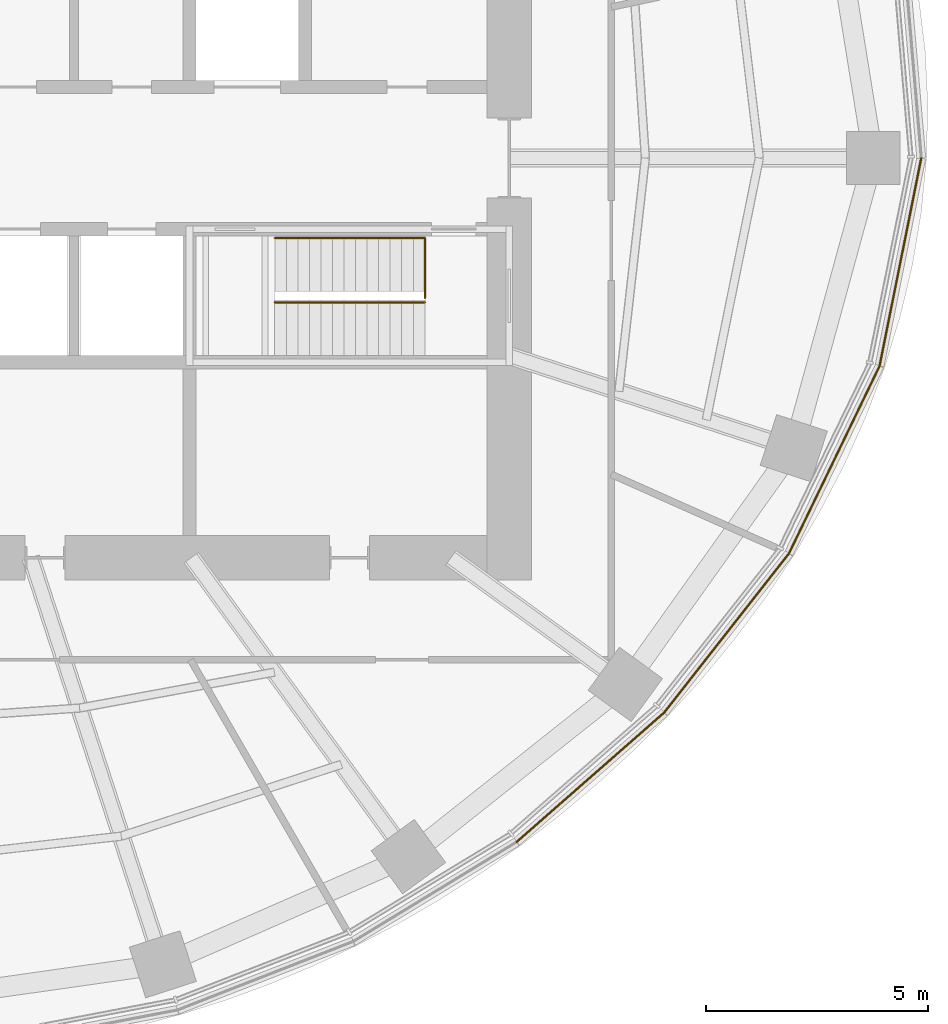
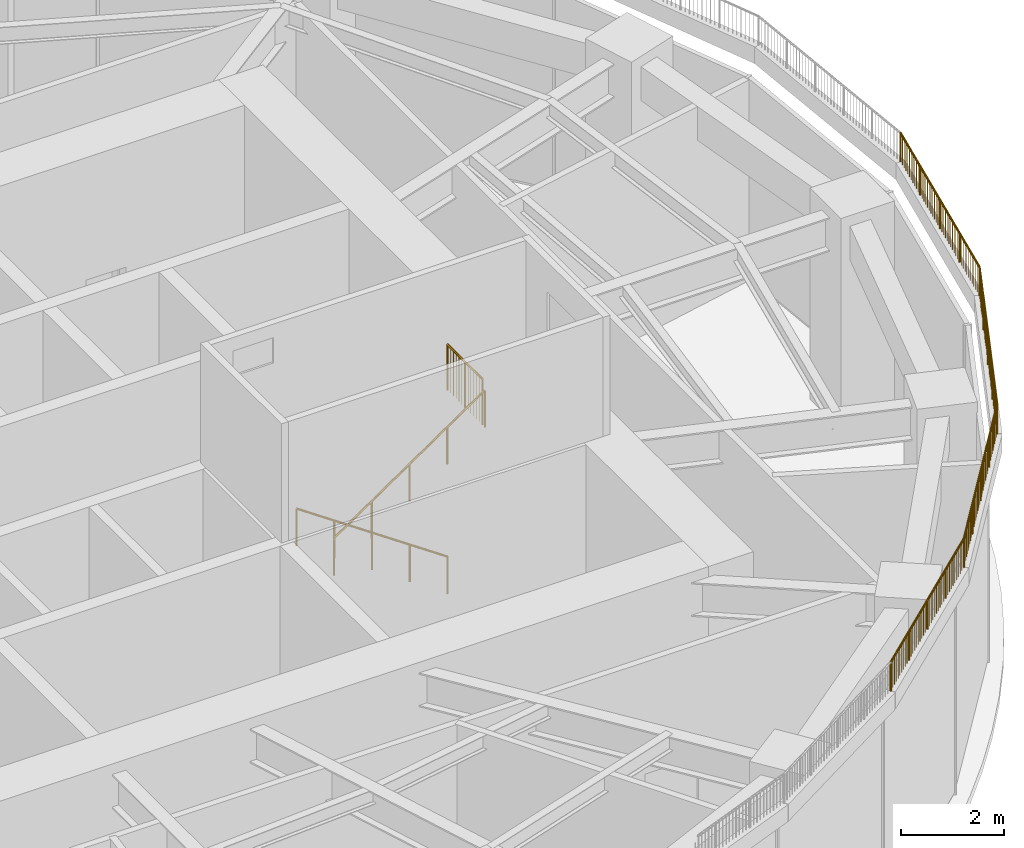
# One storey, part 16 of 19: 7 railings.
"""IFC4 building model written with IfcOpenShell, lengths in metres."""

from ifc_helpers import new_model, si_unit, direction, frame, origin, origin_2d, place, context, subcontext, project, spatial, circle, extrude, material, type_object, element, save


model = new_model("IFC4")

# Units and contexts
model_context = context("Model", 3, precision=1e-05, world=origin(), true_north=direction((0.0, 1.0)))
body_context = subcontext(model_context, "Body", "Model", "MODEL_VIEW")
ifc_project = project(units=[si_unit("LENGTHUNIT", "METRE"), si_unit("AREAUNIT", "SQUARE_METRE"), si_unit("VOLUMEUNIT", "CUBIC_METRE"), si_unit("PLANEANGLEUNIT", "RADIAN"), si_unit("MASSUNIT", "GRAM", prefix="KILO")], contexts=[model_context])

# Site, building, storey
site_placement = place(None, origin())
site = spatial("IfcSite", under=ifc_project, at=site_placement, CompositionType="ELEMENT")
building_placement = place(site_placement, origin())
building = spatial("IfcBuilding", under=site, at=building_placement, Name="Marramba Exchange Tower", CompositionType="ELEMENT")
storey_placement = place(building_placement, frame((0.0, 0.0, 277.0)))
storey = spatial("IfcBuildingStorey", under=building, at=storey_placement, Name="L67", CompositionType="ELEMENT", Elevation=277.0)

# Railings
ifc_material_1 = material(Name="Galvanised steel guardrail", Category="steel")
railing_type_1 = type_object("IfcRailingType", Name="Roof guardrail 1100", PredefinedType="GUARDRAIL", material=ifc_material_1)
railing_1_placement = place(storey_placement, frame((13.867431640625, -15.401123046875, 5.39990234375)))
element("IfcRailing", 1, at=railing_1_placement, inside=storey, type_object=railing_type_1, Name="Roof guard Roof crown F27", PredefinedType="GUARDRAIL", context=body_context, shape_type="SweptSolid", body=[
    extrude(circle(Radius=0.02392578125, at=origin_2d()), frame((0.0, 0.0, 0.67578125), z_axis=(0.751898477354, 0.659278908925, 0.0), x_axis=(-0.659278908925, 0.751898477354, 0.0)), (0.0, 0.0, 1.0), 4.41796875),
    extrude(circle(Radius=0.02099609375, at=origin_2d()), origin(), (0.0, 0.0, 1.0), 0.65185546875),
    extrude(circle(Radius=0.02099609375, at=origin_2d()), frame((0.83056640625, 0.72802734375, 0.0)), (0.0, 0.0, 1.0), 0.65185546875),
    extrude(circle(Radius=0.02099609375, at=origin_2d()), frame((1.660888671875, 1.456298828125, 0.0)), (0.0, 0.0, 1.0), 0.65185546875),
    extrude(circle(Radius=0.02099609375, at=origin_2d()), frame((2.4912109375, 2.1845703125, 0.0)), (0.0, 0.0, 1.0), 0.65185546875),
    extrude(circle(Radius=0.02099609375, at=origin_2d()), frame((3.32177734375, 2.91259765625, 0.0)), (0.0, 0.0, 1.0), 0.65185546875),
    extrude(circle(Radius=0.006103515625, at=origin_2d()), frame((0.092041015625, 0.080810546875, 0.0)), (0.0, 0.0, 1.0), 0.65185546875),
    extrude(circle(Radius=0.006103515625, at=origin_2d()), frame((0.1728515625, 0.151611328125, 0.0)), (0.0, 0.0, 1.0), 0.65185546875),
    extrude(circle(Radius=0.006103515625, at=origin_2d()), frame((0.253662109375, 0.222412109375, 0.0)), (0.0, 0.0, 1.0), 0.65185546875),
    extrude(circle(Radius=0.006103515625, at=origin_2d()), frame((0.33447265625, 0.293212890625, 0.0)), (0.0, 0.0, 1.0), 0.65185546875),
    extrude(circle(Radius=0.006103515625, at=origin_2d()), frame((0.415283203125, 0.364013671875, 0.0)), (0.0, 0.0, 1.0), 0.65185546875),
    extrude(circle(Radius=0.006103515625, at=origin_2d()), frame((0.49609375, 0.434814453125, 0.0)), (0.0, 0.0, 1.0), 0.65185546875),
    extrude(circle(Radius=0.006103515625, at=origin_2d()), frame((0.576904296875, 0.505859375, 0.0)), (0.0, 0.0, 1.0), 0.65185546875),
    extrude(circle(Radius=0.006103515625, at=origin_2d()), frame((0.657470703125, 0.57666015625, 0.0)), (0.0, 0.0, 1.0), 0.65185546875),
    extrude(circle(Radius=0.006103515625, at=origin_2d()), frame((0.73828125, 0.6474609375, 0.0)), (0.0, 0.0, 1.0), 0.65185546875),
    extrude(circle(Radius=0.006103515625, at=origin_2d()), frame((0.922607421875, 0.808837890625, 0.0)), (0.0, 0.0, 1.0), 0.65185546875),
    extrude(circle(Radius=0.006103515625, at=origin_2d()), frame((1.00341796875, 0.879638671875, 0.0)), (0.0, 0.0, 1.0), 0.65185546875),
    extrude(circle(Radius=0.006103515625, at=origin_2d()), frame((1.083984375, 0.950439453125, 0.0)), (0.0, 0.0, 1.0), 0.65185546875),
    extrude(circle(Radius=0.006103515625, at=origin_2d()), frame((1.164794921875, 1.021484375, 0.0)), (0.0, 0.0, 1.0), 0.65185546875),
    extrude(circle(Radius=0.006103515625, at=origin_2d()), frame((1.24560546875, 1.09228515625, 0.0)), (0.0, 0.0, 1.0), 0.65185546875),
    extrude(circle(Radius=0.006103515625, at=origin_2d()), frame((1.326416015625, 1.1630859375, 0.0)), (0.0, 0.0, 1.0), 0.65185546875),
    extrude(circle(Radius=0.006103515625, at=origin_2d()), frame((1.4072265625, 1.23388671875, 0.0)), (0.0, 0.0, 1.0), 0.65185546875),
    extrude(circle(Radius=0.006103515625, at=origin_2d()), frame((1.488037109375, 1.3046875, 0.0)), (0.0, 0.0, 1.0), 0.65185546875),
    extrude(circle(Radius=0.006103515625, at=origin_2d()), frame((1.56884765625, 1.37548828125, 0.0)), (0.0, 0.0, 1.0), 0.65185546875),
    extrude(circle(Radius=0.006103515625, at=origin_2d()), frame((1.7529296875, 1.537109375, 0.0)), (0.0, 0.0, 1.0), 0.65185546875),
    extrude(circle(Radius=0.006103515625, at=origin_2d()), frame((1.833740234375, 1.60791015625, 0.0)), (0.0, 0.0, 1.0), 0.65185546875),
    extrude(circle(Radius=0.006103515625, at=origin_2d()), frame((1.91455078125, 1.6787109375, 0.0)), (0.0, 0.0, 1.0), 0.65185546875),
    extrude(circle(Radius=0.006103515625, at=origin_2d()), frame((1.995361328125, 1.74951171875, 0.0)), (0.0, 0.0, 1.0), 0.65185546875),
    extrude(circle(Radius=0.006103515625, at=origin_2d()), frame((2.076171875, 1.8203125, 0.0)), (0.0, 0.0, 1.0), 0.65185546875),
    extrude(circle(Radius=0.006103515625, at=origin_2d()), frame((2.156982421875, 1.89111328125, 0.0)), (0.0, 0.0, 1.0), 0.65185546875),
    extrude(circle(Radius=0.006103515625, at=origin_2d()), frame((2.23779296875, 1.962158203125, 0.0)), (0.0, 0.0, 1.0), 0.65185546875),
    extrude(circle(Radius=0.006103515625, at=origin_2d()), frame((2.318359375, 2.032958984375, 0.0)), (0.0, 0.0, 1.0), 0.65185546875),
    extrude(circle(Radius=0.006103515625, at=origin_2d()), frame((2.399169921875, 2.103759765625, 0.0)), (0.0, 0.0, 1.0), 0.65185546875),
    extrude(circle(Radius=0.006103515625, at=origin_2d()), frame((2.58349609375, 2.26513671875, 0.0)), (0.0, 0.0, 1.0), 0.65185546875),
    extrude(circle(Radius=0.006103515625, at=origin_2d()), frame((2.664306640625, 2.3359375, 0.0)), (0.0, 0.0, 1.0), 0.65185546875),
    extrude(circle(Radius=0.006103515625, at=origin_2d()), frame((2.744873046875, 2.40673828125, 0.0)), (0.0, 0.0, 1.0), 0.65185546875),
    extrude(circle(Radius=0.006103515625, at=origin_2d()), frame((2.82568359375, 2.477783203125, 0.0)), (0.0, 0.0, 1.0), 0.65185546875),
    extrude(circle(Radius=0.006103515625, at=origin_2d()), frame((2.906494140625, 2.548583984375, 0.0)), (0.0, 0.0, 1.0), 0.65185546875),
    extrude(circle(Radius=0.006103515625, at=origin_2d()), frame((2.9873046875, 2.619384765625, 0.0)), (0.0, 0.0, 1.0), 0.65185546875),
    extrude(circle(Radius=0.006103515625, at=origin_2d()), frame((3.068115234375, 2.690185546875, 0.0)), (0.0, 0.0, 1.0), 0.65185546875),
    extrude(circle(Radius=0.006103515625, at=origin_2d()), frame((3.14892578125, 2.760986328125, 0.0)), (0.0, 0.0, 1.0), 0.65185546875),
    extrude(circle(Radius=0.006103515625, at=origin_2d()), frame((3.229736328125, 2.831787109375, 0.0)), (0.0, 0.0, 1.0), 0.65185546875),
])
railing_2_placement = place(storey_placement, frame((17.189208984375, -12.488525390625, 5.39990234375)))
element("IfcRailing", 2, at=railing_2_placement, inside=storey, type_object=railing_type_1, Name="Roof guard Roof crown F28", PredefinedType="GUARDRAIL", context=body_context, shape_type="SweptSolid", body=[
    extrude(circle(Radius=0.02392578125, at=origin_2d()), frame((0.0, 0.0, 0.67578125), z_axis=(0.617115858167, 0.786872300694, 0.0), x_axis=(-0.786872300694, 0.617115858167, 0.0)), (0.0, 0.0, 1.0), 4.5546875),
    extrude(circle(Radius=0.02099609375, at=origin_2d()), origin(), (0.0, 0.0, 1.0), 0.65185546875),
    extrude(circle(Radius=0.02099609375, at=origin_2d()), frame((0.70263671875, 0.89599609375, 0.0)), (0.0, 0.0, 1.0), 0.65185546875),
    extrude(circle(Radius=0.02099609375, at=origin_2d()), frame((1.4052734375, 1.7919921875, 0.0)), (0.0, 0.0, 1.0), 0.65185546875),
    extrude(circle(Radius=0.02099609375, at=origin_2d()), frame((2.108154296875, 2.68798828125, 0.0)), (0.0, 0.0, 1.0), 0.65185546875),
    extrude(circle(Radius=0.02099609375, at=origin_2d()), frame((2.810791015625, 3.583984375, 0.0)), (0.0, 0.0, 1.0), 0.65185546875),
    extrude(circle(Radius=0.006103515625, at=origin_2d()), frame((0.07763671875, 0.09912109375, 0.0)), (0.0, 0.0, 1.0), 0.65185546875),
    extrude(circle(Radius=0.006103515625, at=origin_2d()), frame((0.14599609375, 0.186279296875, 0.0)), (0.0, 0.0, 1.0), 0.65185546875),
    extrude(circle(Radius=0.006103515625, at=origin_2d()), frame((0.214599609375, 0.2734375, 0.0)), (0.0, 0.0, 1.0), 0.65185546875),
    extrude(circle(Radius=0.006103515625, at=origin_2d()), frame((0.282958984375, 0.36083984375, 0.0)), (0.0, 0.0, 1.0), 0.65185546875),
    extrude(circle(Radius=0.006103515625, at=origin_2d()), frame((0.351318359375, 0.447998046875, 0.0)), (0.0, 0.0, 1.0), 0.65185546875),
    extrude(circle(Radius=0.006103515625, at=origin_2d()), frame((0.419677734375, 0.53515625, 0.0)), (0.0, 0.0, 1.0), 0.65185546875),
    extrude(circle(Radius=0.006103515625, at=origin_2d()), frame((0.48828125, 0.62255859375, 0.0)), (0.0, 0.0, 1.0), 0.65185546875),
    extrude(circle(Radius=0.006103515625, at=origin_2d()), frame((0.556640625, 0.709716796875, 0.0)), (0.0, 0.0, 1.0), 0.65185546875),
    extrude(circle(Radius=0.006103515625, at=origin_2d()), frame((0.625, 0.796875, 0.0)), (0.0, 0.0, 1.0), 0.65185546875),
    extrude(circle(Radius=0.006103515625, at=origin_2d()), frame((0.7802734375, 0.9951171875, 0.0)), (0.0, 0.0, 1.0), 0.65185546875),
    extrude(circle(Radius=0.006103515625, at=origin_2d()), frame((0.848876953125, 1.082275390625, 0.0)), (0.0, 0.0, 1.0), 0.65185546875),
    extrude(circle(Radius=0.006103515625, at=origin_2d()), frame((0.917236328125, 1.16943359375, 0.0)), (0.0, 0.0, 1.0), 0.65185546875),
    extrude(circle(Radius=0.006103515625, at=origin_2d()), frame((0.985595703125, 1.2568359375, 0.0)), (0.0, 0.0, 1.0), 0.65185546875),
    extrude(circle(Radius=0.006103515625, at=origin_2d()), frame((1.053955078125, 1.343994140625, 0.0)), (0.0, 0.0, 1.0), 0.65185546875),
    extrude(circle(Radius=0.006103515625, at=origin_2d()), frame((1.12255859375, 1.43115234375, 0.0)), (0.0, 0.0, 1.0), 0.65185546875),
    extrude(circle(Radius=0.006103515625, at=origin_2d()), frame((1.19091796875, 1.5185546875, 0.0)), (0.0, 0.0, 1.0), 0.65185546875),
    extrude(circle(Radius=0.006103515625, at=origin_2d()), frame((1.25927734375, 1.605712890625, 0.0)), (0.0, 0.0, 1.0), 0.65185546875),
    extrude(circle(Radius=0.006103515625, at=origin_2d()), frame((1.32763671875, 1.69287109375, 0.0)), (0.0, 0.0, 1.0), 0.65185546875),
    extrude(circle(Radius=0.006103515625, at=origin_2d()), frame((1.483154296875, 1.89111328125, 0.0)), (0.0, 0.0, 1.0), 0.65185546875),
    extrude(circle(Radius=0.006103515625, at=origin_2d()), frame((1.551513671875, 1.978271484375, 0.0)), (0.0, 0.0, 1.0), 0.65185546875),
    extrude(circle(Radius=0.006103515625, at=origin_2d()), frame((1.619873046875, 2.0654296875, 0.0)), (0.0, 0.0, 1.0), 0.65185546875),
    extrude(circle(Radius=0.006103515625, at=origin_2d()), frame((1.688232421875, 2.15283203125, 0.0)), (0.0, 0.0, 1.0), 0.65185546875),
    extrude(circle(Radius=0.006103515625, at=origin_2d()), frame((1.7568359375, 2.239990234375, 0.0)), (0.0, 0.0, 1.0), 0.65185546875),
    extrude(circle(Radius=0.006103515625, at=origin_2d()), frame((1.8251953125, 2.3271484375, 0.0)), (0.0, 0.0, 1.0), 0.65185546875),
    extrude(circle(Radius=0.006103515625, at=origin_2d()), frame((1.8935546875, 2.41455078125, 0.0)), (0.0, 0.0, 1.0), 0.65185546875),
    extrude(circle(Radius=0.006103515625, at=origin_2d()), frame((1.9619140625, 2.501708984375, 0.0)), (0.0, 0.0, 1.0), 0.65185546875),
    extrude(circle(Radius=0.006103515625, at=origin_2d()), frame((2.030517578125, 2.5888671875, 0.0)), (0.0, 0.0, 1.0), 0.65185546875),
    extrude(circle(Radius=0.006103515625, at=origin_2d()), frame((2.185791015625, 2.787109375, 0.0)), (0.0, 0.0, 1.0), 0.65185546875),
    extrude(circle(Radius=0.006103515625, at=origin_2d()), frame((2.254150390625, 2.874267578125, 0.0)), (0.0, 0.0, 1.0), 0.65185546875),
    extrude(circle(Radius=0.006103515625, at=origin_2d()), frame((2.322509765625, 2.96142578125, 0.0)), (0.0, 0.0, 1.0), 0.65185546875),
    extrude(circle(Radius=0.006103515625, at=origin_2d()), frame((2.39111328125, 3.048828125, 0.0)), (0.0, 0.0, 1.0), 0.65185546875),
    extrude(circle(Radius=0.006103515625, at=origin_2d()), frame((2.45947265625, 3.135986328125, 0.0)), (0.0, 0.0, 1.0), 0.65185546875),
    extrude(circle(Radius=0.006103515625, at=origin_2d()), frame((2.52783203125, 3.22314453125, 0.0)), (0.0, 0.0, 1.0), 0.65185546875),
    extrude(circle(Radius=0.006103515625, at=origin_2d()), frame((2.59619140625, 3.310546875, 0.0)), (0.0, 0.0, 1.0), 0.65185546875),
    extrude(circle(Radius=0.006103515625, at=origin_2d()), frame((2.664794921875, 3.397705078125, 0.0)), (0.0, 0.0, 1.0), 0.65185546875),
    extrude(circle(Radius=0.006103515625, at=origin_2d()), frame((2.733154296875, 3.48486328125, 0.0)), (0.0, 0.0, 1.0), 0.65185546875),
])
railing_3_placement = place(storey_placement, frame((20.0, -8.904541015625, 5.39990234375)))
element("IfcRailing", 3, at=railing_3_placement, inside=storey, type_object=railing_type_1, Name="Roof guard Roof crown F29", PredefinedType="GUARDRAIL", context=body_context, shape_type="SweptSolid", body=[
    extrude(circle(Radius=0.02392578125, at=origin_2d()), frame((0.0, 0.0, 0.67578125), z_axis=(0.43525592316, 0.900306770692, 0.0), x_axis=(-0.900306770692, 0.43525592316, 0.0)), (0.0, 0.0, 1.0), 4.68701171875),
    extrude(circle(Radius=0.02099609375, at=origin_2d()), origin(), (0.0, 0.0, 1.0), 0.65185546875),
    extrude(circle(Radius=0.02099609375, at=origin_2d()), frame((0.510009765625, 1.054931640625, 0.0)), (0.0, 0.0, 1.0), 0.65185546875),
    extrude(circle(Radius=0.02099609375, at=origin_2d()), frame((1.02001953125, 2.10986328125, 0.0)), (0.0, 0.0, 1.0), 0.65185546875),
    extrude(circle(Radius=0.02099609375, at=origin_2d()), frame((1.530029296875, 3.164794921875, 0.0)), (0.0, 0.0, 1.0), 0.65185546875),
    extrude(circle(Radius=0.02099609375, at=origin_2d()), frame((2.0400390625, 4.2197265625, 0.0)), (0.0, 0.0, 1.0), 0.65185546875),
    extrude(circle(Radius=0.006103515625, at=origin_2d()), frame((0.0517578125, 0.10693359375, 0.0)), (0.0, 0.0, 1.0), 0.65185546875),
    extrude(circle(Radius=0.006103515625, at=origin_2d()), frame((0.096923828125, 0.200439453125, 0.0)), (0.0, 0.0, 1.0), 0.65185546875),
    extrude(circle(Radius=0.006103515625, at=origin_2d()), frame((0.14208984375, 0.2939453125, 0.0)), (0.0, 0.0, 1.0), 0.65185546875),
    extrude(circle(Radius=0.006103515625, at=origin_2d()), frame((0.187255859375, 0.38720703125, 0.0)), (0.0, 0.0, 1.0), 0.65185546875),
    extrude(circle(Radius=0.006103515625, at=origin_2d()), frame((0.232421875, 0.480712890625, 0.0)), (0.0, 0.0, 1.0), 0.65185546875),
    extrude(circle(Radius=0.006103515625, at=origin_2d()), frame((0.277587890625, 0.57421875, 0.0)), (0.0, 0.0, 1.0), 0.65185546875),
    extrude(circle(Radius=0.006103515625, at=origin_2d()), frame((0.32275390625, 0.667724609375, 0.0)), (0.0, 0.0, 1.0), 0.65185546875),
    extrude(circle(Radius=0.006103515625, at=origin_2d()), frame((0.367919921875, 0.760986328125, 0.0)), (0.0, 0.0, 1.0), 0.65185546875),
    extrude(circle(Radius=0.006103515625, at=origin_2d()), frame((0.4130859375, 0.8544921875, 0.0)), (0.0, 0.0, 1.0), 0.65185546875),
    extrude(circle(Radius=0.006103515625, at=origin_2d()), frame((0.458251953125, 0.947998046875, 0.0)), (0.0, 0.0, 1.0), 0.65185546875),
    extrude(circle(Radius=0.006103515625, at=origin_2d()), frame((0.561767578125, 1.161865234375, 0.0)), (0.0, 0.0, 1.0), 0.65185546875),
    extrude(circle(Radius=0.006103515625, at=origin_2d()), frame((0.60693359375, 1.25537109375, 0.0)), (0.0, 0.0, 1.0), 0.65185546875),
    extrude(circle(Radius=0.006103515625, at=origin_2d()), frame((0.652099609375, 1.348876953125, 0.0)), (0.0, 0.0, 1.0), 0.65185546875),
    extrude(circle(Radius=0.006103515625, at=origin_2d()), frame((0.697265625, 1.442138671875, 0.0)), (0.0, 0.0, 1.0), 0.65185546875),
    extrude(circle(Radius=0.006103515625, at=origin_2d()), frame((0.742431640625, 1.53564453125, 0.0)), (0.0, 0.0, 1.0), 0.65185546875),
    extrude(circle(Radius=0.006103515625, at=origin_2d()), frame((0.78759765625, 1.629150390625, 0.0)), (0.0, 0.0, 1.0), 0.65185546875),
    extrude(circle(Radius=0.006103515625, at=origin_2d()), frame((0.832763671875, 1.72265625, 0.0)), (0.0, 0.0, 1.0), 0.65185546875),
    extrude(circle(Radius=0.006103515625, at=origin_2d()), frame((0.8779296875, 1.81591796875, 0.0)), (0.0, 0.0, 1.0), 0.65185546875),
    extrude(circle(Radius=0.006103515625, at=origin_2d()), frame((0.923095703125, 1.909423828125, 0.0)), (0.0, 0.0, 1.0), 0.65185546875),
    extrude(circle(Radius=0.006103515625, at=origin_2d()), frame((0.96826171875, 2.0029296875, 0.0)), (0.0, 0.0, 1.0), 0.65185546875),
    extrude(circle(Radius=0.006103515625, at=origin_2d()), frame((1.07177734375, 2.216796875, 0.0)), (0.0, 0.0, 1.0), 0.65185546875),
    extrude(circle(Radius=0.006103515625, at=origin_2d()), frame((1.116943359375, 2.310302734375, 0.0)), (0.0, 0.0, 1.0), 0.65185546875),
    extrude(circle(Radius=0.006103515625, at=origin_2d()), frame((1.162109375, 2.40380859375, 0.0)), (0.0, 0.0, 1.0), 0.65185546875),
    extrude(circle(Radius=0.006103515625, at=origin_2d()), frame((1.207275390625, 2.4970703125, 0.0)), (0.0, 0.0, 1.0), 0.65185546875),
    extrude(circle(Radius=0.006103515625, at=origin_2d()), frame((1.25244140625, 2.590576171875, 0.0)), (0.0, 0.0, 1.0), 0.65185546875),
    extrude(circle(Radius=0.006103515625, at=origin_2d()), frame((1.297607421875, 2.68408203125, 0.0)), (0.0, 0.0, 1.0), 0.65185546875),
    extrude(circle(Radius=0.006103515625, at=origin_2d()), frame((1.3427734375, 2.777587890625, 0.0)), (0.0, 0.0, 1.0), 0.65185546875),
    extrude(circle(Radius=0.006103515625, at=origin_2d()), frame((1.387939453125, 2.870849609375, 0.0)), (0.0, 0.0, 1.0), 0.65185546875),
    extrude(circle(Radius=0.006103515625, at=origin_2d()), frame((1.43310546875, 2.96435546875, 0.0)), (0.0, 0.0, 1.0), 0.65185546875),
    extrude(circle(Radius=0.006103515625, at=origin_2d()), frame((1.478271484375, 3.057861328125, 0.0)), (0.0, 0.0, 1.0), 0.65185546875),
    extrude(circle(Radius=0.006103515625, at=origin_2d()), frame((1.581787109375, 3.271728515625, 0.0)), (0.0, 0.0, 1.0), 0.65185546875),
    extrude(circle(Radius=0.006103515625, at=origin_2d()), frame((1.626953125, 3.365234375, 0.0)), (0.0, 0.0, 1.0), 0.65185546875),
    extrude(circle(Radius=0.006103515625, at=origin_2d()), frame((1.672119140625, 3.458740234375, 0.0)), (0.0, 0.0, 1.0), 0.65185546875),
    extrude(circle(Radius=0.006103515625, at=origin_2d()), frame((1.71728515625, 3.552001953125, 0.0)), (0.0, 0.0, 1.0), 0.65185546875),
    extrude(circle(Radius=0.006103515625, at=origin_2d()), frame((1.762451171875, 3.6455078125, 0.0)), (0.0, 0.0, 1.0), 0.65185546875),
    extrude(circle(Radius=0.006103515625, at=origin_2d()), frame((1.8076171875, 3.739013671875, 0.0)), (0.0, 0.0, 1.0), 0.65185546875),
    extrude(circle(Radius=0.006103515625, at=origin_2d()), frame((1.852783203125, 3.83251953125, 0.0)), (0.0, 0.0, 1.0), 0.65185546875),
    extrude(circle(Radius=0.006103515625, at=origin_2d()), frame((1.89794921875, 3.92578125, 0.0)), (0.0, 0.0, 1.0), 0.65185546875),
    extrude(circle(Radius=0.006103515625, at=origin_2d()), frame((1.943115234375, 4.019287109375, 0.0)), (0.0, 0.0, 1.0), 0.65185546875),
    extrude(circle(Radius=0.006103515625, at=origin_2d()), frame((1.98828125, 4.11279296875, 0.0)), (0.0, 0.0, 1.0), 0.65185546875),
])
railing_4_placement = place(storey_placement, frame((22.0400390625, -4.684814453125, 5.39990234375)))
element("IfcRailing", 4, at=railing_4_placement, inside=storey, type_object=railing_type_1, Name="Roof guard Roof crown F30", PredefinedType="GUARDRAIL", context=body_context, shape_type="SweptSolid", body=[
    extrude(circle(Radius=0.02392578125, at=origin_2d()), frame((0.0, 0.0, 0.67578125), z_axis=(0.196715481336, 0.980460615937, 0.0), x_axis=(-0.980460615937, 0.196715481336, 0.0)), (0.0, 0.0, 1.0), 4.778076171875),
    extrude(circle(Radius=0.02099609375, at=origin_2d()), origin(), (0.0, 0.0, 1.0), 0.65185546875),
    extrude(circle(Radius=0.02099609375, at=origin_2d()), frame((0.23486328125, 1.171142578125, 0.0)), (0.0, 0.0, 1.0), 0.65185546875),
    extrude(circle(Radius=0.02099609375, at=origin_2d()), frame((0.469970703125, 2.34228515625, 0.0)), (0.0, 0.0, 1.0), 0.65185546875),
    extrude(circle(Radius=0.02099609375, at=origin_2d()), frame((0.705078125, 3.513671875, 0.0)), (0.0, 0.0, 1.0), 0.65185546875),
    extrude(circle(Radius=0.02099609375, at=origin_2d()), frame((0.93994140625, 4.684814453125, 0.0)), (0.0, 0.0, 1.0), 0.65185546875),
    extrude(circle(Radius=0.006103515625, at=origin_2d()), frame((0.023681640625, 0.118408203125, 0.0)), (0.0, 0.0, 1.0), 0.65185546875),
    extrude(circle(Radius=0.006103515625, at=origin_2d()), frame((0.044677734375, 0.222412109375, 0.0)), (0.0, 0.0, 1.0), 0.65185546875),
    extrude(circle(Radius=0.006103515625, at=origin_2d()), frame((0.0654296875, 0.326171875, 0.0)), (0.0, 0.0, 1.0), 0.65185546875),
    extrude(circle(Radius=0.006103515625, at=origin_2d()), frame((0.086181640625, 0.429931640625, 0.0)), (0.0, 0.0, 1.0), 0.65185546875),
    extrude(circle(Radius=0.006103515625, at=origin_2d()), frame((0.107177734375, 0.53369140625, 0.0)), (0.0, 0.0, 1.0), 0.65185546875),
    extrude(circle(Radius=0.006103515625, at=origin_2d()), frame((0.1279296875, 0.637451171875, 0.0)), (0.0, 0.0, 1.0), 0.65185546875),
    extrude(circle(Radius=0.006103515625, at=origin_2d()), frame((0.148681640625, 0.7412109375, 0.0)), (0.0, 0.0, 1.0), 0.65185546875),
    extrude(circle(Radius=0.006103515625, at=origin_2d()), frame((0.169677734375, 0.84521484375, 0.0)), (0.0, 0.0, 1.0), 0.65185546875),
    extrude(circle(Radius=0.006103515625, at=origin_2d()), frame((0.1904296875, 0.948974609375, 0.0)), (0.0, 0.0, 1.0), 0.65185546875),
    extrude(circle(Radius=0.006103515625, at=origin_2d()), frame((0.211181640625, 1.052734375, 0.0)), (0.0, 0.0, 1.0), 0.65185546875),
    extrude(circle(Radius=0.006103515625, at=origin_2d()), frame((0.2587890625, 1.289794921875, 0.0)), (0.0, 0.0, 1.0), 0.65185546875),
    extrude(circle(Radius=0.006103515625, at=origin_2d()), frame((0.279541015625, 1.3935546875, 0.0)), (0.0, 0.0, 1.0), 0.65185546875),
    extrude(circle(Radius=0.006103515625, at=origin_2d()), frame((0.30029296875, 1.497314453125, 0.0)), (0.0, 0.0, 1.0), 0.65185546875),
    extrude(circle(Radius=0.006103515625, at=origin_2d()), frame((0.3212890625, 1.60107421875, 0.0)), (0.0, 0.0, 1.0), 0.65185546875),
    extrude(circle(Radius=0.006103515625, at=origin_2d()), frame((0.342041015625, 1.704833984375, 0.0)), (0.0, 0.0, 1.0), 0.65185546875),
    extrude(circle(Radius=0.006103515625, at=origin_2d()), frame((0.36279296875, 1.80859375, 0.0)), (0.0, 0.0, 1.0), 0.65185546875),
    extrude(circle(Radius=0.006103515625, at=origin_2d()), frame((0.3837890625, 1.91259765625, 0.0)), (0.0, 0.0, 1.0), 0.65185546875),
    extrude(circle(Radius=0.006103515625, at=origin_2d()), frame((0.404541015625, 2.016357421875, 0.0)), (0.0, 0.0, 1.0), 0.65185546875),
    extrude(circle(Radius=0.006103515625, at=origin_2d()), frame((0.42529296875, 2.1201171875, 0.0)), (0.0, 0.0, 1.0), 0.65185546875),
    extrude(circle(Radius=0.006103515625, at=origin_2d()), frame((0.4462890625, 2.223876953125, 0.0)), (0.0, 0.0, 1.0), 0.65185546875),
    extrude(circle(Radius=0.006103515625, at=origin_2d()), frame((0.49365234375, 2.4609375, 0.0)), (0.0, 0.0, 1.0), 0.65185546875),
    extrude(circle(Radius=0.006103515625, at=origin_2d()), frame((0.5146484375, 2.564697265625, 0.0)), (0.0, 0.0, 1.0), 0.65185546875),
    extrude(circle(Radius=0.006103515625, at=origin_2d()), frame((0.535400390625, 2.66845703125, 0.0)), (0.0, 0.0, 1.0), 0.65185546875),
    extrude(circle(Radius=0.006103515625, at=origin_2d()), frame((0.55615234375, 2.772216796875, 0.0)), (0.0, 0.0, 1.0), 0.65185546875),
    extrude(circle(Radius=0.006103515625, at=origin_2d()), frame((0.5771484375, 2.876220703125, 0.0)), (0.0, 0.0, 1.0), 0.65185546875),
    extrude(circle(Radius=0.006103515625, at=origin_2d()), frame((0.597900390625, 2.97998046875, 0.0)), (0.0, 0.0, 1.0), 0.65185546875),
    extrude(circle(Radius=0.006103515625, at=origin_2d()), frame((0.61865234375, 3.083740234375, 0.0)), (0.0, 0.0, 1.0), 0.65185546875),
    extrude(circle(Radius=0.006103515625, at=origin_2d()), frame((0.6396484375, 3.1875, 0.0)), (0.0, 0.0, 1.0), 0.65185546875),
    extrude(circle(Radius=0.006103515625, at=origin_2d()), frame((0.660400390625, 3.291259765625, 0.0)), (0.0, 0.0, 1.0), 0.65185546875),
    extrude(circle(Radius=0.006103515625, at=origin_2d()), frame((0.68115234375, 3.39501953125, 0.0)), (0.0, 0.0, 1.0), 0.65185546875),
    extrude(circle(Radius=0.006103515625, at=origin_2d()), frame((0.728759765625, 3.632080078125, 0.0)), (0.0, 0.0, 1.0), 0.65185546875),
    extrude(circle(Radius=0.006103515625, at=origin_2d()), frame((0.74951171875, 3.73583984375, 0.0)), (0.0, 0.0, 1.0), 0.65185546875),
    extrude(circle(Radius=0.006103515625, at=origin_2d()), frame((0.770263671875, 3.839599609375, 0.0)), (0.0, 0.0, 1.0), 0.65185546875),
    extrude(circle(Radius=0.006103515625, at=origin_2d()), frame((0.791259765625, 3.943603515625, 0.0)), (0.0, 0.0, 1.0), 0.65185546875),
    extrude(circle(Radius=0.006103515625, at=origin_2d()), frame((0.81201171875, 4.04736328125, 0.0)), (0.0, 0.0, 1.0), 0.65185546875),
    extrude(circle(Radius=0.006103515625, at=origin_2d()), frame((0.832763671875, 4.151123046875, 0.0)), (0.0, 0.0, 1.0), 0.65185546875),
    extrude(circle(Radius=0.006103515625, at=origin_2d()), frame((0.853759765625, 4.2548828125, 0.0)), (0.0, 0.0, 1.0), 0.65185546875),
    extrude(circle(Radius=0.006103515625, at=origin_2d()), frame((0.87451171875, 4.358642578125, 0.0)), (0.0, 0.0, 1.0), 0.65185546875),
    extrude(circle(Radius=0.006103515625, at=origin_2d()), frame((0.895263671875, 4.46240234375, 0.0)), (0.0, 0.0, 1.0), 0.65185546875),
    extrude(circle(Radius=0.006103515625, at=origin_2d()), frame((0.916259765625, 4.56640625, 0.0)), (0.0, 0.0, 1.0), 0.65185546875),
])
ifc_material_2 = material(Name="Stainless steel handrail", Category="steel")
railing_type_2 = type_object("IfcRailingType", Name="Stair handrail 900", PredefinedType="HANDRAIL", material=ifc_material_2)
railing_5_placement = place(storey_placement, frame((11.800048828125, -1.800048828125, 0.178466796875)))
element("IfcRailing", 5, at=railing_5_placement, inside=storey, type_object=railing_type_2, Name="Handrail HR1 ST2 L67 flight 1", PredefinedType="HANDRAIL", context=body_context, shape_type="SweptSolid", body=[
    extrude(circle(Radius=0.02392578125, at=origin_2d()), frame((0.0, 0.0, 0.8759765625), z_axis=(-0.824304150675, 0.0, 0.566147213346), x_axis=(0.0, -1.0, 0.0)), (0.0, 0.0, 1.0), 4.1005859375),
    extrude(circle(Radius=0.02099609375, at=origin_2d()), origin(), (0.0, 0.0, 1.0), 0.851806640625),
    extrude(circle(Radius=0.02099609375, at=origin_2d()), frame((-0.844970703125, 0.0, 0.580322265625)), (0.0, 0.0, 1.0), 0.851806640625),
    extrude(circle(Radius=0.02099609375, at=origin_2d()), frame((-1.68994140625, 0.0, 1.16064453125)), (0.0, 0.0, 1.0), 0.851806640625),
    extrude(circle(Radius=0.02099609375, at=origin_2d()), frame((-2.53515625, 0.0, 1.7412109375)), (0.0, 0.0, 1.0), 0.851806640625),
    extrude(circle(Radius=0.02099609375, at=origin_2d()), frame((-3.380126953125, 0.0, 2.321533203125)), (0.0, 0.0, 1.0), 0.851806640625),
])
railing_6_placement = place(storey_placement, frame((8.419921875, -3.25, 2.678466796875)))
element("IfcRailing", 6, at=railing_6_placement, inside=storey, type_object=railing_type_2, Name="Handrail HR1 ST2 L67 flight 2", PredefinedType="HANDRAIL", context=body_context, shape_type="SweptSolid", body=[
    extrude(circle(Radius=0.02392578125, at=origin_2d()), frame((0.0, 0.0, 0.8759765625), z_axis=(0.824304150675, 0.0, 0.566147213346), x_axis=(0.0, 1.0, 0.0)), (0.0, 0.0, 1.0), 4.1005859375),
    extrude(circle(Radius=0.02099609375, at=origin_2d()), origin(), (0.0, 0.0, 1.0), 0.851806640625),
    extrude(circle(Radius=0.02099609375, at=origin_2d()), frame((0.844970703125, 0.0, 0.580322265625)), (0.0, 0.0, 1.0), 0.851806640625),
    extrude(circle(Radius=0.02099609375, at=origin_2d()), frame((1.68994140625, 0.0, 1.16064453125)), (0.0, 0.0, 1.0), 0.851806640625),
    extrude(circle(Radius=0.02099609375, at=origin_2d()), frame((2.53515625, 0.0, 1.7412109375)), (0.0, 0.0, 1.0), 0.851806640625),
    extrude(circle(Radius=0.02099609375, at=origin_2d()), frame((3.380126953125, 0.0, 2.321533203125)), (0.0, 0.0, 1.0), 0.851806640625),
])
ifc_material_3 = material(Name="Stainless steel guard", Category="steel")
railing_type_3 = type_object("IfcRailingType", Name="Stair well guard 1100", PredefinedType="GUARDRAIL", material=ifc_material_3)
railing_7_placement = place(storey_placement, frame((11.800048828125, -3.14990234375, 5.0)))
element("IfcRailing", 7, at=railing_7_placement, inside=storey, type_object=railing_type_3, Name="Stair well guard GR2 ST2 roof landing", PredefinedType="GUARDRAIL", context=body_context, shape_type="SweptSolid", body=[
    extrude(circle(Radius=0.02392578125, at=origin_2d()), frame((0.0, 0.0, 1.076171875), z_axis=(0.0, 1.0, 0.0), x_axis=(-1.0, 0.0, 0.0)), (0.0, 0.0, 1.0), 1.349853515625),
    extrude(circle(Radius=0.02099609375, at=origin_2d()), origin(), (0.0, 0.0, 1.0), 1.052001953125),
    extrude(circle(Radius=0.02099609375, at=origin_2d()), frame((0.0, 0.6748046875, 0.0)), (0.0, 0.0, 1.0), 1.052001953125),
    extrude(circle(Radius=0.02099609375, at=origin_2d()), frame((0.0, 1.349853515625, 0.0)), (0.0, 0.0, 1.0), 1.052001953125),
    extrude(circle(Radius=0.006103515625, at=origin_2d()), frame((0.0, 0.12255859375, 0.0)), (0.0, 0.0, 1.0), 1.052001953125),
    extrude(circle(Radius=0.006103515625, at=origin_2d()), frame((0.0, 0.22998046875, 0.0)), (0.0, 0.0, 1.0), 1.052001953125),
    extrude(circle(Radius=0.006103515625, at=origin_2d()), frame((0.0, 0.33740234375, 0.0)), (0.0, 0.0, 1.0), 1.052001953125),
    extrude(circle(Radius=0.006103515625, at=origin_2d()), frame((0.0, 0.445068359375, 0.0)), (0.0, 0.0, 1.0), 1.052001953125),
    extrude(circle(Radius=0.006103515625, at=origin_2d()), frame((0.0, 0.552490234375, 0.0)), (0.0, 0.0, 1.0), 1.052001953125),
    extrude(circle(Radius=0.006103515625, at=origin_2d()), frame((0.0, 0.79736328125, 0.0)), (0.0, 0.0, 1.0), 1.052001953125),
    extrude(circle(Radius=0.006103515625, at=origin_2d()), frame((0.0, 0.90478515625, 0.0)), (0.0, 0.0, 1.0), 1.052001953125),
    extrude(circle(Radius=0.006103515625, at=origin_2d()), frame((0.0, 1.012451171875, 0.0)), (0.0, 0.0, 1.0), 1.052001953125),
    extrude(circle(Radius=0.006103515625, at=origin_2d()), frame((0.0, 1.119873046875, 0.0)), (0.0, 0.0, 1.0), 1.052001953125),
    extrude(circle(Radius=0.006103515625, at=origin_2d()), frame((0.0, 1.227294921875, 0.0)), (0.0, 0.0, 1.0), 1.052001953125),
])

save(model, "model.ifc")
